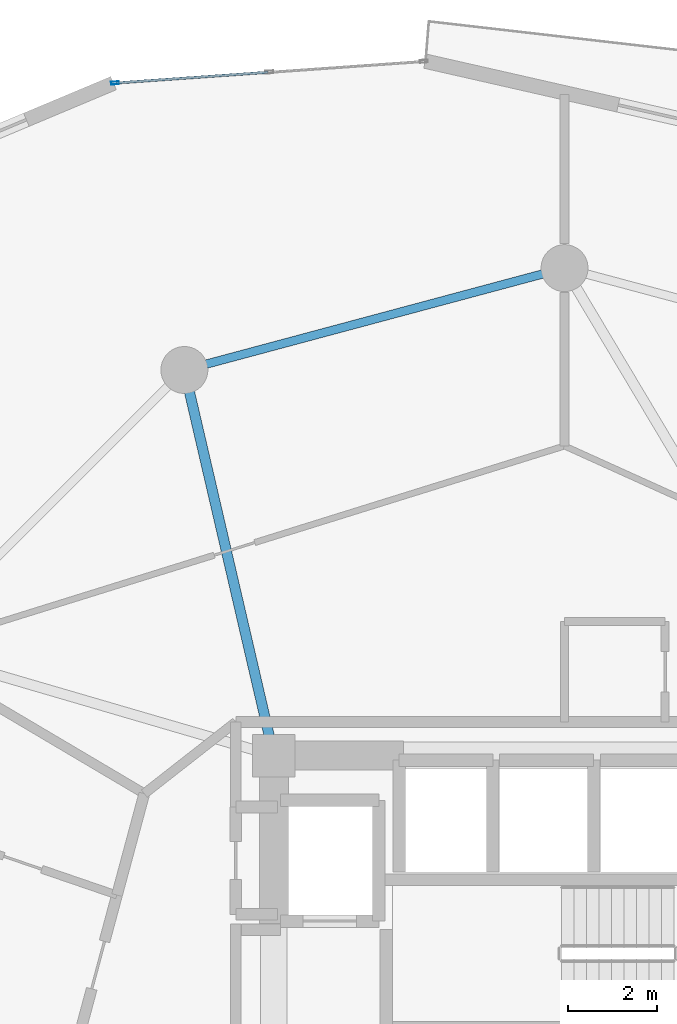
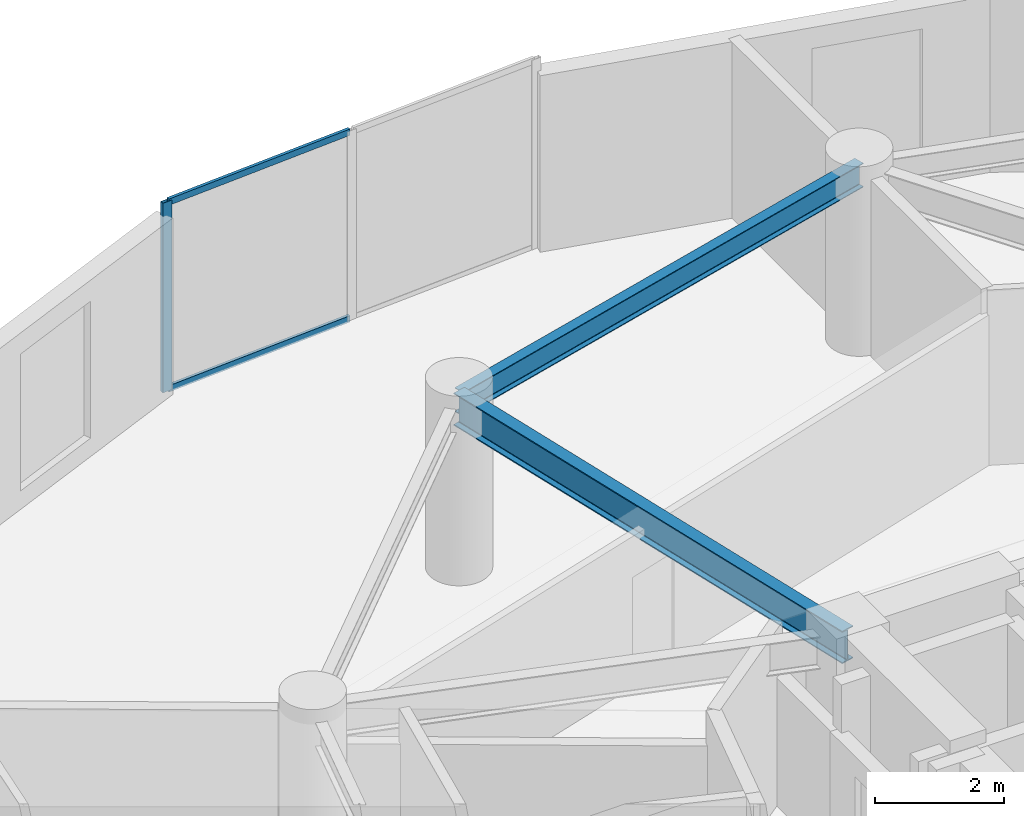
# One storey, part 16 of 25: 3 members, 2 beams, 1 element without a shape of its own.
"""IFC4 building model written with IfcOpenShell, lengths in metres."""

from ifc_helpers import new_model, si_unit, direction, frame, origin, origin_2d, place, context, subcontext, project, spatial, hollow_rectangle, i_section, extrude, source, transform, mapped, material, layer, layer_set, material_profile, profile_set, type_object, element, aggregate, save


model = new_model("IFC4")

# Units and contexts
model_context = context("Model", 3, precision=1e-05, world=origin(), true_north=direction((0.0, 1.0)))
body_context = subcontext(model_context, "Body", "Model", "MODEL_VIEW")
ifc_project = project(units=[si_unit("LENGTHUNIT", "METRE"), si_unit("AREAUNIT", "SQUARE_METRE"), si_unit("VOLUMEUNIT", "CUBIC_METRE"), si_unit("PLANEANGLEUNIT", "RADIAN"), si_unit("MASSUNIT", "GRAM", prefix="KILO")], contexts=[model_context])

# Site, building, storey
site_placement = place(None, origin())
site = spatial("IfcSite", under=ifc_project, at=site_placement, CompositionType="ELEMENT")
building_placement = place(site_placement, origin())
building = spatial("IfcBuilding", under=site, at=building_placement, Name="Solvirekh Grand Hotel", CompositionType="ELEMENT")
storey_placement = place(building_placement, frame((0.0, 0.0, 120.60009765625)))
storey = spatial("IfcBuildingStorey", under=building, at=storey_placement, Name="L30", CompositionType="ELEMENT", Elevation=120.60009765625)

# Beams
ifc_material_1 = material(Name="Steel S355", Category="steel")
ifc_material_profile_1 = material_profile(ifc_material_1, i_section(OverallWidth=0.22802734375, OverallDepth=0.616943359375, WebThickness=0.012939453125, FlangeThickness=0.02001953125, FilletRadius=0.014892578125, at=origin_2d()), Name="W610X140")
ifc_profile_set_1 = profile_set([ifc_material_profile_1], Name="Steel S355")
beam_type_1 = type_object("IfcBeamType", Name="Beam_Radial_W610", PredefinedType="BEAM", material=ifc_profile_set_1)
beam_1_placement = place(storey_placement, frame((-6.5, 6.10009765625, 3.0419921875), z_axis=(-0.225969390542, 0.974134402707, 0.0), x_axis=(-0.974134402707, -0.225969390542, 0.0)))
element("IfcBeam", 1, at=beam_1_placement, inside=storey, type_object=beam_type_1, Name="L30 radial floor beam R05", PredefinedType="BEAM", context=body_context, shape_type="SweptSolid", body=[
    extrude(i_section(OverallWidth=0.22802734375, OverallDepth=0.616943359375, WebThickness=0.012939453125, FlangeThickness=0.02001953125, FilletRadius=0.014892578125, at=origin_2d()), origin(), (0.0, 0.0, 1.0), 8.850830078125),
])
ifc_material_profile_2 = material_profile(ifc_material_1, i_section(OverallWidth=0.18994140625, OverallDepth=0.45703125, WebThickness=0.009033203125, FlangeThickness=0.013916015625, FilletRadius=0.012939453125, at=origin_2d()), Name="W460X74")
ifc_profile_set_2 = profile_set([ifc_material_profile_2], Name="Steel S355")
beam_type_2 = type_object("IfcBeamType", Name="Spandrel_Ring_W460", PredefinedType="SPANDREL", material=ifc_profile_set_2)
beam_2_placement = place(storey_placement, frame((0.0, 17.0, 3.121826171875), z_axis=(-0.965911391906, -0.258872908946, 0.0), x_axis=(0.258872908946, -0.965911391906, 0.0)))
element("IfcBeam", 2, at=beam_2_placement, inside=storey, type_object=beam_type_2, Name="L30 perimeter spandrel beam 4", PredefinedType="SPANDREL", context=body_context, shape_type="SweptSolid", body=[
    extrude(i_section(OverallWidth=0.18994140625, OverallDepth=0.45703125, WebThickness=0.009033203125, FlangeThickness=0.013916015625, FilletRadius=0.012939453125, at=origin_2d()), origin(), (0.0, 0.0, 1.0), 8.800048828125),
])

# Curtain wall, members
ifc_material_2 = material(Name="Anodized Bronze Aluminium 6063-T6", Category="aluminium")
ifc_layer = layer(ifc_material_2, 0.175048828125)
ifc_layer_set = layer_set([ifc_layer], Name="Anodized Bronze Aluminium 6063-T6")
curtain_wall_type = type_object("IfcCurtainWallType", Name="CW_Sys3_MidZoneFlushBronzeCW", PredefinedType="NOTDEFINED", material=ifc_layer_set)
curtain_wall_placement = place(storey_placement, origin())
curtain_wall = element("IfcCurtainWall", 3, at=curtain_wall_placement, inside=storey, type_object=curtain_wall_type, Name="L30 unitised bronze-glass curtain wall CW-L30-C08", PredefinedType="NOTDEFINED")
ifc_material_profile_3 = material_profile(ifc_material_2, hollow_rectangle(XDim=0.06494140625, YDim=0.175048828125, WallThickness=0.0048828125, at=origin_2d()), Name="ALU RHS 175X65X5")
ifc_profile_set_3 = profile_set([ifc_material_profile_3], Name="Anodized Bronze Aluminium 6063-T6")
member_type_1 = type_object("IfcMemberType", Name="CWMullion_Sys3", PredefinedType="MULLION", material=ifc_profile_set_3)
shared_shape_1 = source(origin(), body_context, "Body", "SweptSolid", [
    extrude(hollow_rectangle(XDim=0.06494140625, YDim=0.175048828125, WallThickness=0.0048828125, at=origin_2d()), origin(), (0.0, 0.0, 1.0), 3.599853515625),
])
member_1_placement = place(storey_placement, frame((-10.052490234375, 21.13818359375, 0.0), z_axis=(0.0, 0.0, 1.0), x_axis=(0.070250562862, -0.99752937722, 0.0)))
member_1 = element("IfcMember", 4, at=member_1_placement, type_object=member_type_1, Name="U03 mullion 3", PredefinedType="MULLION", context=body_context, shape_type="MappedRepresentation", body=[
    mapped(shared_shape_1, transform((0.0, 0.0, 0.0), x_axis=(1.0, 0.0, 0.0), y_axis=(0.0, 1.0, 0.0), z_axis=(0.0, 0.0, 1.0), scale=1.0)),
])
ifc_material_profile_4 = material_profile(ifc_material_2, hollow_rectangle(XDim=0.054931640625, YDim=0.1201171875, WallThickness=0.00390625, at=origin_2d()), Name="ALU RHS 120X55X4")
ifc_profile_set_4 = profile_set([ifc_material_profile_4], Name="Anodized Bronze Aluminium 6063-T6")
member_type_2 = type_object("IfcMemberType", Name="CWTransom_Sys3", PredefinedType="USERDEFINED", material=ifc_profile_set_4)
shared_shape_2 = source(origin(), body_context, "Body", "SweptSolid", [
    extrude(hollow_rectangle(XDim=0.054931640625, YDim=0.1201171875, WallThickness=0.00390625, at=origin_2d()), origin(), (0.0, 0.0, 1.0), 3.397216796875),
])
member_2_placement = place(storey_placement, frame((-6.63134765625, 21.379150390625, 0.02734375), z_axis=(-0.997532212924, -0.070210285428, 0.0), x_axis=(0.070210285428, -0.997532212924, 0.0)))
member_2 = element("IfcMember", 5, at=member_2_placement, type_object=member_type_2, Name="U03 transom 2.1", ObjectType="TRANSOM", PredefinedType="USERDEFINED", context=body_context, shape_type="MappedRepresentation", body=[
    mapped(shared_shape_2, transform((0.0, 0.0, 0.0), x_axis=(1.0, 0.0, 0.0), y_axis=(0.0, 1.0, 0.0), z_axis=(0.0, 0.0, 1.0), scale=1.0)),
])
member_3_placement = place(storey_placement, frame((-6.63134765625, 21.379150390625, 3.572509765625), z_axis=(-0.997532212924, -0.070210285428, 0.0), x_axis=(0.070210285428, -0.997532212924, 0.0)))
member_3 = element("IfcMember", 6, at=member_3_placement, type_object=member_type_2, Name="U03 transom 2.2", ObjectType="TRANSOM", PredefinedType="USERDEFINED", context=body_context, shape_type="MappedRepresentation", body=[
    mapped(shared_shape_2, transform((0.0, 0.0, 0.0), x_axis=(1.0, 0.0, 0.0), y_axis=(0.0, 1.0, 0.0), z_axis=(0.0, 0.0, 1.0), scale=1.0)),
])
aggregate(curtain_wall, [member_1, member_2, member_3])

save(model, "model.ifc")
